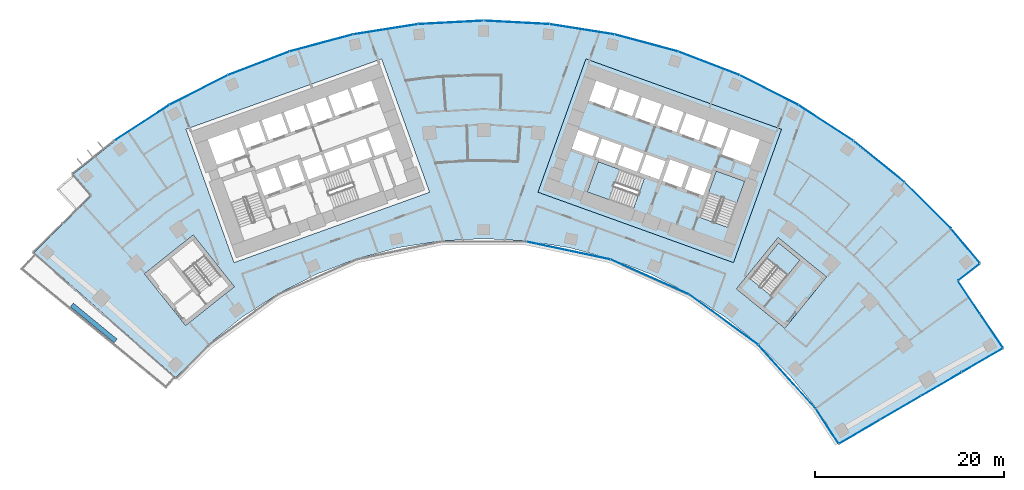
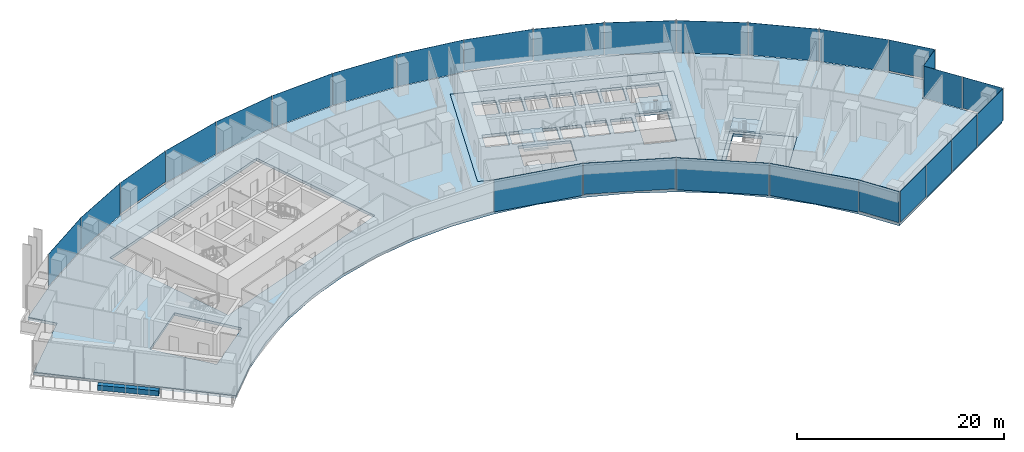
# One storey, part 12 of 21: 27 plates, 6 slabs, 1 wall, 8 elements without a shape of their own.
"""IFC4 building model written with IfcOpenShell, lengths in metres."""

from ifc_helpers import new_model, si_unit, direction, frame, origin, origin_2d, place, context, subcontext, project, spatial, polyline, rectangle, outline, extrude, material, layer, layer_set, type_object, element, aggregate, save


model = new_model("IFC4")

# Units and contexts
model_context = context("Model", 3, precision=1e-05, world=origin(), true_north=direction((0.0, 1.0)))
body_context = subcontext(model_context, "Body", "Model", "MODEL_VIEW")
ifc_project = project(units=[si_unit("LENGTHUNIT", "METRE"), si_unit("AREAUNIT", "SQUARE_METRE"), si_unit("VOLUMEUNIT", "CUBIC_METRE"), si_unit("PLANEANGLEUNIT", "RADIAN"), si_unit("MASSUNIT", "GRAM", prefix="KILO")], contexts=[model_context])

# Site, building, storey
site_placement = place(None, origin())
site = spatial("IfcSite", under=ifc_project, at=site_placement, CompositionType="ELEMENT")
building_placement = place(site_placement, origin())
building = spatial("IfcBuilding", under=site, at=building_placement, Name="Stone Belt Terrace Tower", CompositionType="ELEMENT")
storey_placement = place(building_placement, frame((0.0, 0.0, 113.60009765625)))
storey = spatial("IfcBuildingStorey", under=building, at=storey_placement, Name="L27", CompositionType="ELEMENT", Elevation=113.60009765625)

# Curtain wall, plates
ifc_material_1 = material(Name="Aluminium 6063-T6 anodised frame", Category="aluminium")
ifc_layer_1 = layer(ifc_material_1, 0.14990234375)
ifc_layer_set_1 = layer_set([ifc_layer_1], Name="CW-A unitised convex-face curtain wall")
curtain_wall_type_1 = type_object("IfcCurtainWallType", Name="CW-A unitised convex-face curtain wall", PredefinedType="NOTDEFINED", material=ifc_layer_set_1)
curtain_wall_1_placement = place(storey_placement, origin())
curtain_wall_1 = element("IfcCurtainWall", 1, at=curtain_wall_1_placement, inside=storey, type_object=curtain_wall_type_1, Name="CW-A convex face L27", PredefinedType="NOTDEFINED")
ifc_material_2 = material(Name="Clear double glazed unit")
ifc_layer_2 = layer(ifc_material_2, 0.031982421875)
ifc_layer_set_2 = layer_set([ifc_layer_2], Name="CW-A glass panel 32")
plate_type_1 = type_object("IfcPlateType", Name="CW-A glass panel 32", PredefinedType="CURTAIN_PANEL", material=ifc_layer_set_2)
plate_1_placement = place(storey_placement, frame((50.993896484375, 42.73583984375, 0.14013671875), z_axis=(0.0, 0.0, 1.0), x_axis=(-0.642509184121, 0.766277983711, 0.0)))
plate_1 = element("IfcPlate", 2, at=plate_1_placement, type_object=plate_type_1, Name="CW-A panel 1.1", PredefinedType="CURTAIN_PANEL", context=body_context, shape_type="SweptSolid", body=[
    extrude(rectangle(XDim=4.662841796875, YDim=0.031982421875, at=origin_2d()), origin(), (0.0, 0.0, 1.0), 3.659912109375),
])
plate_2_placement = place(storey_placement, frame((47.01123046875, 47.01123046875, 0.0), z_axis=(0.0, 0.0, 1.0), x_axis=(-0.707106781187, 0.707106781187, 0.0)))
plate_2 = element("IfcPlate", 3, at=plate_2_placement, type_object=plate_type_1, Name="CW-A panel 2.1", PredefinedType="CURTAIN_PANEL", context=body_context, shape_type="SweptSolid", body=[
    extrude(rectangle(XDim=6.90087890625, YDim=0.031982421875, at=origin_2d()), origin(), (0.0, 0.0, 1.0), 3.800048828125),
])
plate_3_placement = place(storey_placement, frame((41.839599609375, 51.667724609375, 0.0), z_axis=(0.0, 0.0, 1.0), x_axis=(-0.777145961457, 0.62932039105, 0.0)))
plate_3 = element("IfcPlate", 4, at=plate_3_placement, type_object=plate_type_1, Name="CW-A panel 3.1", PredefinedType="CURTAIN_PANEL", context=body_context, shape_type="SweptSolid", body=[
    extrude(rectangle(XDim=6.90087890625, YDim=0.031982421875, at=origin_2d()), origin(), (0.0, 0.0, 1.0), 3.800048828125),
])
plate_4_placement = place(storey_placement, frame((36.209716796875, 55.758056640625, 0.0), z_axis=(0.0, 0.0, 1.0), x_axis=(-0.838670567945, 0.544639035015, 0.0)))
plate_4 = element("IfcPlate", 5, at=plate_4_placement, type_object=plate_type_1, Name="CW-A panel 4.1", PredefinedType="CURTAIN_PANEL", context=body_context, shape_type="SweptSolid", body=[
    extrude(rectangle(XDim=6.90087890625, YDim=0.031982421875, at=origin_2d()), origin(), (0.0, 0.0, 1.0), 3.800048828125),
])
plate_5_placement = place(storey_placement, frame((30.18310546875, 59.237548828125, 0.0), z_axis=(0.0, 0.0, 1.0), x_axis=(-0.891006524188, 0.45399049974, 0.0)))
plate_5 = element("IfcPlate", 6, at=plate_5_placement, type_object=plate_type_1, Name="CW-A panel 5.1", PredefinedType="CURTAIN_PANEL", context=body_context, shape_type="SweptSolid", body=[
    extrude(rectangle(XDim=6.90087890625, YDim=0.031982421875, at=origin_2d()), origin(), (0.0, 0.0, 1.0), 3.800048828125),
])
plate_6_placement = place(storey_placement, frame((23.82568359375, 62.068115234375, 0.0), z_axis=(0.0, 0.0, 1.0), x_axis=(-0.933580426497, 0.358367949545, 0.0)))
plate_6 = element("IfcPlate", 7, at=plate_6_placement, type_object=plate_type_1, Name="CW-A panel 6.1", PredefinedType="CURTAIN_PANEL", context=body_context, shape_type="SweptSolid", body=[
    extrude(rectangle(XDim=6.90087890625, YDim=0.031982421875, at=origin_2d()), origin(), (0.0, 0.0, 1.0), 3.800048828125),
])
plate_7_placement = place(storey_placement, frame((17.207275390625, 64.218505859375, 0.14013671875), z_axis=(0.0, 0.0, 1.0), x_axis=(-0.965925826289, 0.258819045103, 0.0)))
plate_7 = element("IfcPlate", 8, at=plate_7_placement, type_object=plate_type_1, Name="CW-A panel 7.1", PredefinedType="CURTAIN_PANEL", context=body_context, shape_type="SweptSolid", body=[
    extrude(rectangle(XDim=6.90087890625, YDim=0.031982421875, at=origin_2d()), origin(), (0.0, 0.0, 1.0), 3.659912109375),
])
plate_8_placement = place(storey_placement, frame((10.400390625, 65.665283203125, 0.0), z_axis=(0.0, 0.0, 1.0), x_axis=(-0.987688340595, 0.15643446504, 0.0)))
plate_8 = element("IfcPlate", 9, at=plate_8_placement, type_object=plate_type_1, Name="CW-A panel 8.1", PredefinedType="CURTAIN_PANEL", context=body_context, shape_type="SweptSolid", body=[
    extrude(rectangle(XDim=6.90087890625, YDim=0.031982421875, at=origin_2d()), origin(), (0.0, 0.0, 1.0), 3.800048828125),
])
plate_9_placement = place(storey_placement, frame((3.4794921875, 66.392822265625, 0.0), z_axis=(0.0, 0.0, 1.0), x_axis=(-0.998629534755, 0.052335956243, 0.0)))
plate_9 = element("IfcPlate", 10, at=plate_9_placement, type_object=plate_type_1, Name="CW-A panel 9.1", PredefinedType="CURTAIN_PANEL", context=body_context, shape_type="SweptSolid", body=[
    extrude(rectangle(XDim=6.90087890625, YDim=0.031982421875, at=origin_2d()), origin(), (0.0, 0.0, 1.0), 3.800048828125),
])
plate_10_placement = place(storey_placement, frame((-3.4794921875, 66.392822265625, 0.0), z_axis=(0.0, 0.0, 1.0), x_axis=(-0.998629534755, -0.052335956243, 0.0)))
plate_10 = element("IfcPlate", 11, at=plate_10_placement, type_object=plate_type_1, Name="CW-A panel 10.1", PredefinedType="CURTAIN_PANEL", context=body_context, shape_type="SweptSolid", body=[
    extrude(rectangle(XDim=6.90087890625, YDim=0.031982421875, at=origin_2d()), origin(), (0.0, 0.0, 1.0), 3.800048828125),
])
plate_11_placement = place(storey_placement, frame((-10.400390625, 65.665283203125, 0.0), z_axis=(0.0, 0.0, 1.0), x_axis=(-0.987688340595, -0.15643446504, 0.0)))
plate_11 = element("IfcPlate", 12, at=plate_11_placement, type_object=plate_type_1, Name="CW-A panel 11.1", PredefinedType="CURTAIN_PANEL", context=body_context, shape_type="SweptSolid", body=[
    extrude(rectangle(XDim=6.90087890625, YDim=0.031982421875, at=origin_2d()), origin(), (0.0, 0.0, 1.0), 3.800048828125),
])
plate_12_placement = place(storey_placement, frame((-17.207275390625, 64.218505859375, 0.0), z_axis=(0.0, 0.0, 1.0), x_axis=(-0.965925826289, -0.258819045103, 0.0)))
plate_12 = element("IfcPlate", 13, at=plate_12_placement, type_object=plate_type_1, Name="CW-A panel 12.1", PredefinedType="CURTAIN_PANEL", context=body_context, shape_type="SweptSolid", body=[
    extrude(rectangle(XDim=6.90087890625, YDim=0.031982421875, at=origin_2d()), origin(), (0.0, 0.0, 1.0), 3.800048828125),
])
plate_13_placement = place(storey_placement, frame((-23.82568359375, 62.068115234375, 0.14013671875), z_axis=(0.0, 0.0, 1.0), x_axis=(-0.933580426497, -0.358367949545, 0.0)))
plate_13 = element("IfcPlate", 14, at=plate_13_placement, type_object=plate_type_1, Name="CW-A panel 13.1", PredefinedType="CURTAIN_PANEL", context=body_context, shape_type="SweptSolid", body=[
    extrude(rectangle(XDim=6.90087890625, YDim=0.031982421875, at=origin_2d()), origin(), (0.0, 0.0, 1.0), 3.659912109375),
])
plate_14_placement = place(storey_placement, frame((-30.18310546875, 59.237548828125, 0.0), z_axis=(0.0, 0.0, 1.0), x_axis=(-0.891006524188, -0.45399049974, 0.0)))
plate_14 = element("IfcPlate", 15, at=plate_14_placement, type_object=plate_type_1, Name="CW-A panel 14.1", PredefinedType="CURTAIN_PANEL", context=body_context, shape_type="SweptSolid", body=[
    extrude(rectangle(XDim=6.90087890625, YDim=0.031982421875, at=origin_2d()), origin(), (0.0, 0.0, 1.0), 3.800048828125),
])
plate_15_placement = place(storey_placement, frame((-36.209716796875, 55.758056640625, 0.0), z_axis=(0.0, 0.0, 1.0), x_axis=(-0.838670567945, -0.544639035015, 0.0)))
plate_15 = element("IfcPlate", 16, at=plate_15_placement, type_object=plate_type_1, Name="CW-A panel 15.1", PredefinedType="CURTAIN_PANEL", context=body_context, shape_type="SweptSolid", body=[
    extrude(rectangle(XDim=6.90087890625, YDim=0.031982421875, at=origin_2d()), origin(), (0.0, 0.0, 1.0), 3.800048828125),
])
aggregate(curtain_wall_1, [plate_1, plate_2, plate_3, plate_4, plate_5, plate_6, plate_7, plate_8, plate_9, plate_10, plate_11, plate_12, plate_13, plate_14, plate_15])

ifc_layer_3 = layer(ifc_material_1, 0.14990234375)
ifc_layer_set_3 = layer_set([ifc_layer_3], Name="CW-B unitised concave-face curtain wall")
curtain_wall_type_2 = type_object("IfcCurtainWallType", Name="CW-B unitised concave-face curtain wall", PredefinedType="NOTDEFINED", material=ifc_layer_set_3)
curtain_wall_2_placement = place(storey_placement, origin())
curtain_wall_2 = element("IfcCurtainWall", 17, at=curtain_wall_2_placement, inside=storey, type_object=curtain_wall_type_2, Name="CW-B concave face L27", PredefinedType="NOTDEFINED")
ifc_layer_4 = layer(ifc_material_2, 0.030029296875)
ifc_layer_set_4 = layer_set([ifc_layer_4], Name="CW-B glass panel 30")
plate_type_2 = type_object("IfcPlateType", Name="CW-B glass panel 30", PredefinedType="CURTAIN_PANEL", material=ifc_layer_set_4)
plate_16_placement = place(storey_placement, frame((8.97900390625, 42.242919921875, 0.0), z_axis=(0.0, 0.0, 1.0), x_axis=(0.978147600734, -0.207911690818, 0.0)))
plate_16 = element("IfcPlate", 18, at=plate_16_placement, type_object=plate_type_2, Name="CW-B panel 6.1", PredefinedType="CURTAIN_PANEL", context=body_context, shape_type="SweptSolid", body=[
    extrude(rectangle(XDim=9.0126953125, YDim=0.030029296875, at=origin_2d()), origin(), (0.0, 0.0, 1.0), 3.800048828125),
])
plate_17_placement = place(storey_placement, frame((17.565673828125, 39.453125, 0.1201171875), z_axis=(0.0, 0.0, 1.0), x_axis=(0.913545457643, -0.406736643076, 0.0)))
plate_17 = element("IfcPlate", 19, at=plate_17_placement, type_object=plate_type_2, Name="CW-B panel 7.1", PredefinedType="CURTAIN_PANEL", context=body_context, shape_type="SweptSolid", body=[
    extrude(rectangle(XDim=9.0126953125, YDim=0.030029296875, at=origin_2d()), origin(), (0.0, 0.0, 1.0), 3.679931640625),
])
plate_18_placement = place(storey_placement, frame((25.384521484375, 34.938720703125, 0.0), z_axis=(0.0, 0.0, 1.0), x_axis=(0.809016994375, -0.587785252292, 0.0)))
plate_18 = element("IfcPlate", 20, at=plate_18_placement, type_object=plate_type_2, Name="CW-B panel 8.1", PredefinedType="CURTAIN_PANEL", context=body_context, shape_type="SweptSolid", body=[
    extrude(rectangle(XDim=9.0126953125, YDim=0.030029296875, at=origin_2d()), origin(), (0.0, 0.0, 1.0), 3.800048828125),
])
plate_19_placement = place(storey_placement, frame((32.09521484375, 28.89599609375, 0.0), z_axis=(0.0, 0.0, 1.0), x_axis=(0.669130606359, -0.743144825477, 0.0)))
plate_19 = element("IfcPlate", 21, at=plate_19_placement, type_object=plate_type_2, Name="CW-B panel 9.1", PredefinedType="CURTAIN_PANEL", context=body_context, shape_type="SweptSolid", body=[
    extrude(rectangle(XDim=9.016845703125, YDim=0.030029296875, at=origin_2d()), origin(), (0.0, 0.0, 1.0), 3.800048828125),
])
plate_20_placement = place(storey_placement, frame((36.3408203125, 23.66943359375, 0.1201171875), z_axis=(0.0, 0.0, 1.0), x_axis=(0.546131502436, -0.837699458068, 0.0)))
plate_20 = element("IfcPlate", 22, at=plate_20_placement, type_object=plate_type_2, Name="CW-B panel 10.1", PredefinedType="CURTAIN_PANEL", context=body_context, shape_type="SweptSolid", body=[
    extrude(rectangle(XDim=4.363525390625, YDim=0.030029296875, at=origin_2d()), origin(), (0.0, 0.0, 1.0), 3.679931640625),
])
aggregate(curtain_wall_2, [plate_16, plate_17, plate_18, plate_19, plate_20])

ifc_layer_5 = layer(ifc_material_1, 0.14990234375)
ifc_layer_set_5 = layer_set([ifc_layer_5], Name="CW-C stick curtain wall, horn ends and notches")
curtain_wall_type_3 = type_object("IfcCurtainWallType", Name="CW-C stick curtain wall, horn ends and notches", PredefinedType="NOTDEFINED", material=ifc_layer_set_5)
curtain_wall_3_placement = place(storey_placement, origin())
curtain_wall_3 = element("IfcCurtainWall", 23, at=curtain_wall_3_placement, inside=storey, type_object=curtain_wall_type_3, Name="CW-C end face L27", PredefinedType="NOTDEFINED")
ifc_layer_6 = layer(ifc_material_2, 0.028076171875)
ifc_layer_set_6 = layer_set([ifc_layer_6], Name="CW-C glass panel 28")
plate_type_3 = type_object("IfcPlateType", Name="CW-C glass panel 28", PredefinedType="CURTAIN_PANEL", material=ifc_layer_set_6)
plate_21_placement = place(storey_placement, frame((39.78076171875, 23.06982421875, 0.1201171875), z_axis=(0.0, 0.0, 1.0), x_axis=(0.864239322284, 0.503080901861, 0.0)))
plate_21 = element("IfcPlate", 24, at=plate_21_placement, type_object=plate_type_3, Name="CW-C panel 1.1", PredefinedType="CURTAIN_PANEL", context=body_context, shape_type="SweptSolid", body=[
    extrude(rectangle(XDim=4.9677734375, YDim=0.028076171875, at=origin_2d()), origin(), (0.0, 0.0, 1.0), 3.679931640625),
])
plate_22_placement = place(storey_placement, frame((44.114013671875, 25.59228515625, 0.0), z_axis=(0.0, 0.0, 1.0), x_axis=(0.864239322284, 0.503080901861, 0.0)))
plate_22 = element("IfcPlate", 25, at=plate_22_placement, type_object=plate_type_3, Name="CW-C panel 2.1", PredefinedType="CURTAIN_PANEL", context=body_context, shape_type="SweptSolid", body=[
    extrude(rectangle(XDim=4.93994140625, YDim=0.028076171875, at=origin_2d()), origin(), (0.0, 0.0, 1.0), 3.800048828125),
])
plate_23_placement = place(storey_placement, frame((48.43505859375, 28.107666015625, 0.0), z_axis=(0.0, 0.0, 1.0), x_axis=(0.864239322284, 0.503080901861, 0.0)))
plate_23 = element("IfcPlate", 26, at=plate_23_placement, type_object=plate_type_3, Name="CW-C panel 3.1", PredefinedType="CURTAIN_PANEL", context=body_context, shape_type="SweptSolid", body=[
    extrude(rectangle(XDim=4.93994140625, YDim=0.028076171875, at=origin_2d()), origin(), (0.0, 0.0, 1.0), 3.800048828125),
])
plate_24_placement = place(storey_placement, frame((52.771484375, 30.6318359375, 0.0), z_axis=(0.0, 0.0, 1.0), x_axis=(0.864239322284, 0.503080901861, 0.0)))
plate_24 = element("IfcPlate", 27, at=plate_24_placement, type_object=plate_type_3, Name="CW-C panel 4.1", PredefinedType="CURTAIN_PANEL", context=body_context, shape_type="SweptSolid", body=[
    extrude(rectangle(XDim=4.974853515625, YDim=0.028076171875, at=origin_2d()), origin(), (0.0, 0.0, 1.0), 3.800048828125),
])
aggregate(curtain_wall_3, [plate_21, plate_22, plate_23, plate_24])

curtain_wall_4_placement = place(storey_placement, origin())
curtain_wall_4 = element("IfcCurtainWall", 28, at=curtain_wall_4_placement, inside=storey, type_object=curtain_wall_type_3, Name="CW-C notch face L27", PredefinedType="NOTDEFINED")
plate_25_placement = place(storey_placement, frame((53.748046875, 33.751220703125, 0.1201171875), z_axis=(0.0, 0.0, 1.0), x_axis=(-0.560367245622, 0.828244257471, 0.0)))
plate_25 = element("IfcPlate", 29, at=plate_25_placement, type_object=plate_type_3, Name="CW-C panel 1.1", PredefinedType="CURTAIN_PANEL", context=body_context, shape_type="SweptSolid", body=[
    extrude(rectangle(XDim=4.268798828125, YDim=0.028076171875, at=origin_2d()), origin(), (0.0, 0.0, 1.0), 3.679931640625),
])
plate_26_placement = place(storey_placement, frame((51.364013671875, 37.275146484375, 0.0), z_axis=(0.0, 0.0, 1.0), x_axis=(-0.560367245622, 0.828244257471, 0.0)))
plate_26 = element("IfcPlate", 30, at=plate_26_placement, type_object=plate_type_3, Name="CW-C panel 2.1", PredefinedType="CURTAIN_PANEL", context=body_context, shape_type="SweptSolid", body=[
    extrude(rectangle(XDim=4.12060546875, YDim=0.028076171875, at=origin_2d()), origin(), (0.0, 0.0, 1.0), 3.800048828125),
])
aggregate(curtain_wall_4, [plate_25, plate_26])

# Curtain wall, plate
curtain_wall_5_placement = place(storey_placement, origin())
curtain_wall_5 = element("IfcCurtainWall", 31, at=curtain_wall_5_placement, inside=storey, type_object=curtain_wall_type_3, Name="CW-C notch face L27", PredefinedType="NOTDEFINED")
plate_27_placement = place(storey_placement, frame((51.353515625, 39.966552734375, 0.1201171875), z_axis=(0.0, 0.0, 1.0), x_axis=(0.788458012337, 0.615088581248, 0.0)))
plate_27 = element("IfcPlate", 32, at=plate_27_placement, type_object=plate_type_3, Name="CW-C panel 1.1", PredefinedType="CURTAIN_PANEL", context=body_context, shape_type="SweptSolid", body=[
    extrude(rectangle(XDim=2.859619140625, YDim=0.028076171875, at=origin_2d()), origin(), (0.0, 0.0, 1.0), 3.679931640625),
])
aggregate(curtain_wall_5, [plate_27])

# Slabs
ifc_material_3 = material(Name="Concrete B40", Category="concrete")
ifc_layer_7 = layer(ifc_material_3, 0.320068359375)
ifc_layer_set_7 = layer_set([ifc_layer_7], Name="Core floor slab 320")
slab_type_1 = type_object("IfcSlabType", Name="Core floor slab 320", PredefinedType="FLOOR", material=ifc_layer_set_7)
slab_1_placement = place(storey_placement, frame((0.0, 0.0, -0.320068359375)))
element("IfcSlab", 33, at=slab_1_placement, inside=storey, type_object=slab_type_1, Name="Core B floor L27", PredefinedType="FLOOR", context=body_context, shape_type="SweptSolid", body=[
    extrude(outline(polyline([(26.43505859375, 40.968994140625), (31.513916015625, 55.0830078125), (10.81396484375, 62.531982421875), (5.735107421875, 48.4189453125), (26.43505859375, 40.968994140625)]), holes=[polyline([(12.10595703125, 51.652099609375), (16.998046875, 49.89208984375), (15.846923828125, 46.69189453125), (10.955078125, 48.452880859375), (12.10595703125, 51.652099609375)]), polyline([(19.239990234375, 51.68896484375), (18.5458984375, 49.760009765625), (16.52294921875, 50.488037109375), (17.217041015625, 52.4169921875), (19.239990234375, 51.68896484375)]), polyline([(16.239990234375, 50.589111328125), (14.169921875, 51.333984375), (14.864013671875, 53.262939453125), (16.93408203125, 52.51806640625), (16.239990234375, 50.589111328125)]), polyline([(14.58203125, 53.364990234375), (13.887939453125, 51.43603515625), (11.864990234375, 52.1640625), (11.847900390625, 52.116943359375), (11.801025390625, 52.134033203125), (12.511962890625, 54.110107421875), (14.58203125, 53.364990234375)]), polyline([(9.30810546875, 53.031005859375), (10.01904296875, 55.007080078125), (12.22998046875, 54.2109375), (11.51904296875, 52.235107421875), (9.30810546875, 53.031005859375)]), polyline([(16.743896484375, 58.485107421875), (18.81396484375, 57.739990234375), (18.052001953125, 55.623046875), (15.98193359375, 56.367919921875), (16.743896484375, 58.485107421875)]), polyline([(14.39111328125, 59.33203125), (16.4609375, 58.5869140625), (15.699951171875, 56.469970703125), (13.6298828125, 57.215087890625), (14.39111328125, 59.33203125)]), polyline([(11.89794921875, 60.22900390625), (14.10888671875, 59.43408203125), (13.346923828125, 57.31591796875), (11.135986328125, 58.112060546875), (11.89794921875, 60.22900390625)]), polyline([(25.85888671875, 44.68408203125), (22.847900390625, 45.76806640625), (24.60791015625, 50.659912109375), (27.618896484375, 49.575927734375), (25.85888671875, 44.68408203125)]), polyline([(21.27392578125, 48.778076171875), (22.0869140625, 51.035888671875), (24.06298828125, 50.324951171875), (23.25, 48.06689453125), (21.27392578125, 48.778076171875)]), polyline([(18.922119140625, 49.6240234375), (19.735107421875, 51.883056640625), (21.7109375, 51.1708984375), (20.89794921875, 48.9130859375), (18.922119140625, 49.6240234375)]), polyline([(29.2109375, 53.9990234375), (28.24609375, 51.31689453125), (25.18798828125, 52.41796875), (26.153076171875, 55.09912109375), (29.2109375, 53.9990234375)]), polyline([(23.801025390625, 55.946044921875), (25.87109375, 55.200927734375), (25.10888671875, 53.083984375), (23.0390625, 53.8291015625), (23.801025390625, 55.946044921875)]), polyline([(21.447998046875, 56.7919921875), (23.51806640625, 56.047119140625), (22.756103515625, 53.929931640625), (20.68603515625, 54.675048828125), (21.447998046875, 56.7919921875)]), polyline([(19.095947265625, 57.638916015625), (21.166015625, 56.89404296875), (20.404052734375, 54.777099609375), (18.333984375, 55.52197265625), (19.095947265625, 57.638916015625)])]), origin(), (0.0, 0.0, 1.0), 0.320068359375),
])
slab_2_placement = place(storey_placement, frame((0.0, 0.0, -0.320068359375)))
element("IfcSlab", 34, at=slab_2_placement, inside=storey, type_object=slab_type_1, Name="Exit stair ST3B floor L27", PredefinedType="FLOOR", context=body_context, shape_type="SweptSolid", body=[
    extrude(outline(polyline([(26.741943359375, 38.18408203125), (31.866943359375, 34.02392578125), (36.278076171875, 39.458984375), (31.154052734375, 43.618896484375), (26.741943359375, 38.18408203125)]), holes=[polyline([(30.407958984375, 37.462890625), (28.156005859375, 39.291015625), (31.2119140625, 43.055908203125), (33.464111328125, 41.22802734375), (30.407958984375, 37.462890625)])]), origin(), (0.0, 0.0, 1.0), 0.320068359375),
])
ifc_layer_8 = layer(ifc_material_3, 0.320068359375)
ifc_layer_set_8 = layer_set([ifc_layer_8], Name="Floor slab 320 B40")
slab_type_2 = type_object("IfcSlabType", Name="Floor slab 320 B40", PredefinedType="FLOOR", material=ifc_layer_set_8)
slab_3_placement = place(storey_placement, frame((0.0, 0.0, -0.320068359375)))
element("IfcSlab", 35, at=slab_3_placement, inside=storey, type_object=slab_type_2, Name="Floor slab L27", PredefinedType="FLOOR", context=body_context, shape_type="SweptSolid", body=[
    extrude(outline(polyline([(-39.087646484375, 53.799560546875), (-33.25, 57.5908203125), (-27.048095703125, 60.750732421875), (-20.549560546875, 63.245361328125), (-13.826171875, 65.046875), (-6.951171875, 66.1357421875), (0.0, 66.5), (6.951171875, 66.1357421875), (13.826171875, 65.046875), (20.549560546875, 63.245361328125), (27.048095703125, 60.750732421875), (33.25, 57.5908203125), (39.087646484375, 53.799560546875), (44.497314453125, 49.419189453125), (49.419189453125, 44.497314453125), (52.4326171875, 40.9033203125), (50.067138671875, 39.05810546875), (54.879150390625, 31.945556640625), (37.594482421875, 21.884033203125), (35.192138671875, 25.568603515625), (32.326904296875, 29.107177734375), (29.107177734375, 32.326904296875), (25.568603515625, 35.192138671875), (21.75, 37.672119140625), (17.693115234375, 39.7392578125), (13.442138671875, 41.37109375), (9.044189453125, 42.54931640625), (4.547119140625, 43.26171875), (0.0, 43.5), (-4.547119140625, 43.26171875), (-9.044189453125, 42.54931640625), (-13.442138671875, 41.37109375), (-17.693115234375, 39.7392578125), (-21.75, 37.672119140625), (-25.568603515625, 35.192138671875), (-29.107177734375, 32.326904296875), (-32.326904296875, 29.107177734375), (-32.602294921875, 28.79833984375), (-47.591796875, 42.038818359375), (-41.484619140625, 48.07568359375), (-43.4443359375, 50.34716796875), (-39.087646484375, 53.799560546875)]), holes=[polyline([(-26.434814453125, 40.968994140625), (-5.734619140625, 48.418701171875), (-10.81396484375, 62.532470703125), (-31.51416015625, 55.082763671875), (-26.434814453125, 40.968994140625)]), polyline([(10.81396484375, 62.532470703125), (5.734619140625, 48.418701171875), (26.434814453125, 40.968994140625), (31.51416015625, 55.082763671875), (10.81396484375, 62.532470703125)]), polyline([(-35.91796875, 39.787353515625), (-31.55615234375, 34.3125), (-26.39404296875, 38.425048828125), (-30.756103515625, 43.89990234375), (-35.91796875, 39.787353515625)]), polyline([(36.2783203125, 39.459228515625), (31.15380859375, 43.61865234375), (26.742431640625, 38.18359375), (31.86669921875, 34.024169921875), (36.2783203125, 39.459228515625)])]), origin(), (0.0, 0.0, 1.0), 0.320068359375),
])

# Stair, slab
stair_type = type_object("IfcStairType", Name="Exit stair 1500", PredefinedType="HALF_TURN_STAIR", material=ifc_material_3)
stair_1_placement = place(storey_placement, origin())
stair_1 = element("IfcStair", 36, at=stair_1_placement, inside=storey, type_object=stair_type, Name="L27 Exit stair 1 core B", PredefinedType="HALF_TURN_STAIR")
ifc_layer_9 = layer(ifc_material_3, 0.199951171875)
ifc_layer_set_9 = layer_set([ifc_layer_9], Name="Stair landing 200")
slab_type_3 = type_object("IfcSlabType", Name="Stair landing 200", PredefinedType="LANDING", material=ifc_layer_set_9)
slab_4_placement = place(storey_placement, frame((0.0, 0.0, 1.699951171875)))
slab_4 = element("IfcSlab", 37, at=slab_4_placement, type_object=slab_type_3, Name="ST1B landing 1", PredefinedType="LANDING", context=body_context, shape_type="SweptSolid", body=[
    extrude(outline(polyline([(26.806396484375, 47.3173828125), (27.619384765625, 49.576171875), (24.6083984375, 50.659912109375), (23.79541015625, 48.40087890625), (26.806396484375, 47.3173828125)])), origin(), (0.0, 0.0, 1.0), 0.199951171875),
])
aggregate(stair_1, [slab_4])

stair_2_placement = place(storey_placement, origin())
stair_2 = element("IfcStair", 38, at=stair_2_placement, inside=storey, type_object=stair_type, Name="L27 Exit stair 2 core B", PredefinedType="HALF_TURN_STAIR")
slab_5_placement = place(storey_placement, frame((0.0, 0.0, 1.699951171875)))
slab_5 = element("IfcSlab", 39, at=slab_5_placement, type_object=slab_type_3, Name="ST2B landing 1", PredefinedType="LANDING", context=body_context, shape_type="SweptSolid", body=[
    extrude(outline(polyline([(14.36474609375, 50.839111328125), (12.10595703125, 51.652099609375), (10.95458984375, 48.453125), (13.213623046875, 47.64013671875), (14.36474609375, 50.839111328125)])), origin(), (0.0, 0.0, 1.0), 0.199951171875),
])
aggregate(stair_2, [slab_5])

stair_3_placement = place(storey_placement, origin())
stair_3 = element("IfcStair", 40, at=stair_3_placement, inside=storey, type_object=stair_type, Name="L27 Exit stair 3B", PredefinedType="HALF_TURN_STAIR")
slab_6_placement = place(storey_placement, frame((0.0, 0.0, 1.699951171875)))
slab_6 = element("IfcSlab", 41, at=slab_6_placement, type_object=slab_type_3, Name="ST3B landing 1", PredefinedType="LANDING", context=body_context, shape_type="SweptSolid", body=[
    extrude(outline(polyline([(32.17138671875, 39.635986328125), (33.4638671875, 41.228271484375), (31.21240234375, 43.055908203125), (29.919921875, 41.463623046875), (32.17138671875, 39.635986328125)])), origin(), (0.0, 0.0, 1.0), 0.199951171875),
])
aggregate(stair_3, [slab_6])

# Wall
ifc_material_4 = material(Name="Precast concrete C40/50", Category="concrete")
ifc_layer_10 = layer(ifc_material_4, 0.5)
ifc_layer_set_10 = layer_set([ifc_layer_10], Name="Planter box 500 x 600")
wall_type = type_object("IfcWallType", Name="Planter box 500 x 600", PredefinedType="SOLIDWALL", material=ifc_layer_set_10)
wall_placement = place(storey_placement, frame((-41.281005859375, 34.58544921875, -0.000244140625), z_axis=(0.0, 0.0, 1.0), x_axis=(0.77305069126, -0.634344250973, 0.0)))
element("IfcWall", 42, at=wall_placement, inside=storey, type_object=wall_type, Name="PLANTER L27 1", PredefinedType="SOLIDWALL", context=body_context, shape_type="SweptSolid", body=[
    extrude(rectangle(XDim=6.0, YDim=0.5, at=origin_2d()), origin(), (0.0, 0.0, 1.0), 0.60009765625),
])

save(model, "model.ifc")
